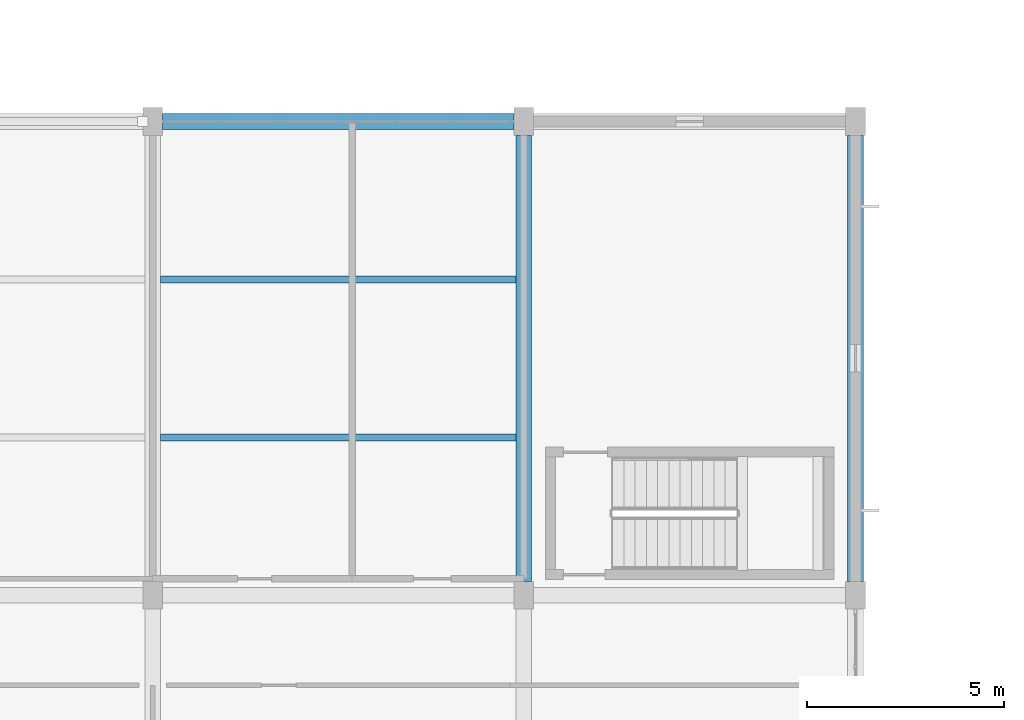
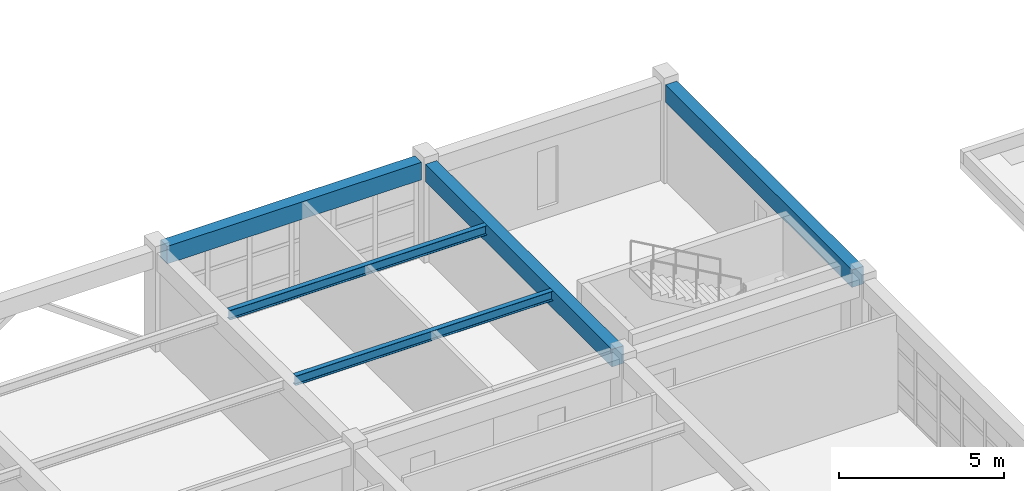
# One storey, part 35 of 150: 5 beams.
"""IFC4 building model written with IfcOpenShell, lengths in metres."""

from ifc_helpers import new_model, si_unit, direction, frame, origin, origin_2d, place, context, subcontext, project, spatial, rectangle, i_section, extrude, material, material_profile, profile_set, type_object, element, save


model = new_model("IFC4")

# Units and contexts
model_context = context("Model", 3, precision=1e-05, world=origin(), true_north=direction((0.0, 1.0)))
body_context = subcontext(model_context, "Body", "Model", "MODEL_VIEW")
ifc_project = project(units=[si_unit("LENGTHUNIT", "METRE"), si_unit("AREAUNIT", "SQUARE_METRE"), si_unit("VOLUMEUNIT", "CUBIC_METRE"), si_unit("PLANEANGLEUNIT", "RADIAN"), si_unit("MASSUNIT", "GRAM", prefix="KILO")], contexts=[model_context])

# Site, building, storey
site_placement = place(None, origin())
site = spatial("IfcSite", under=ifc_project, at=site_placement, CompositionType="ELEMENT")
building_placement = place(site_placement, origin())
building = spatial("IfcBuilding", under=site, at=building_placement, Name="Kestramere Prow Commons", CompositionType="ELEMENT")
storey_placement = place(building_placement, frame((0.0, 0.0, 4.5)))
storey = spatial("IfcBuildingStorey", under=building, at=storey_placement, Name="L01", CompositionType="ELEMENT", Elevation=4.5)

# Beams
ifc_material_1 = material(Name="Precast concrete C40/50", Category="concrete")
ifc_material_profile_1 = material_profile(ifc_material_1, rectangle(XDim=0.39990234375, YDim=0.64990234375, at=origin_2d()), Name="PC-BM 400x650")
ifc_profile_set_1 = profile_set([ifc_material_profile_1], Name="Precast concrete C40/50")
beam_type_1 = type_object("IfcBeamType", Name="BM-MK-01 PC-BM 400x650", PredefinedType="BEAM", material=ifc_profile_set_1)
beam_1_placement = place(storey_placement, frame((103.60009765625, 12.35009765625, 3.324951171875), z_axis=(0.0, 1.0, 0.0), x_axis=(-1.0, 0.0, 0.0)))
element("IfcBeam", 1, at=beam_1_placement, inside=storey, type_object=beam_type_1, Name="Market Spine L01 Beam Y 6-2", PredefinedType="BEAM", context=body_context, shape_type="SweptSolid", body=[
    extrude(rectangle(XDim=0.39990234375, YDim=0.64990234375, at=origin_2d()), origin(), (0.0, 0.0, 1.0), 11.2998046875),
])
ifc_material_profile_2 = material_profile(ifc_material_1, rectangle(XDim=0.39990234375, YDim=0.64990234375, at=origin_2d()), Name="PC-BM 400x650")
ifc_profile_set_2 = profile_set([ifc_material_profile_2], Name="Precast concrete C40/50")
beam_type_2 = type_object("IfcBeamType", Name="BM-MK-01 PC-BM 400x650 (EX)", PredefinedType="BEAM", material=ifc_profile_set_2)
beam_2_placement = place(storey_placement, frame((94.449951171875, 24.0, 3.324951171875), z_axis=(1.0, 0.0, 0.0), x_axis=(0.0, 1.0, 0.0)))
element("IfcBeam", 2, at=beam_2_placement, inside=storey, type_object=beam_type_2, Name="Market Spine L01 Beam X 3-5", PredefinedType="BEAM", context=body_context, shape_type="SweptSolid", body=[
    extrude(rectangle(XDim=0.39990234375, YDim=0.64990234375, at=origin_2d()), origin(), (0.0, 0.0, 1.0), 8.900146484375),
])
beam_3_placement = place(storey_placement, frame((112.0, 12.35009765625, 3.324951171875), z_axis=(0.0, 1.0, 0.0), x_axis=(-1.0, 0.0, 0.0)))
element("IfcBeam", 3, at=beam_3_placement, inside=storey, type_object=beam_type_2, Name="Market Spine L01 Beam Y 7-2", PredefinedType="BEAM", context=body_context, shape_type="SweptSolid", body=[
    extrude(rectangle(XDim=0.39990234375, YDim=0.64990234375, at=origin_2d()), origin(), (0.0, 0.0, 1.0), 11.2998046875),
])
ifc_material_2 = material(Name="Steel S355JR", Category="steel")
ifc_material_profile_3 = material_profile(ifc_material_2, i_section(OverallWidth=0.17138671875, OverallDepth=0.35498046875, WebThickness=0.00732421875, FlangeThickness=0.011474609375, FilletRadius=0.01025390625, at=origin_2d()), Name="UB 356x171x51")
ifc_profile_set_3 = profile_set([ifc_material_profile_3], Name="Steel S355JR")
beam_type_3 = type_object("IfcBeamType", Name="JST-MK-01 UB 356x171x51", PredefinedType="JOIST", material=ifc_profile_set_3)
for number, where, z_axis, x_axis, name in (
    (4, (94.39990234375, 16.0, 3.472412109375), (1.0, 0.0, 0.0), (0.0, 1.0, 0.0), "Market Spine L01 Secondary Joist 5-16"),
    (5, (94.39990234375, 20.0, 3.472412109375), (1.0, 0.0, 0.0), (0.0, 1.0, 0.0), "Market Spine L01 Secondary Joist 5-20"),
):
    element("IfcBeam", number, at=place(storey_placement, frame(where, z_axis=z_axis, x_axis=x_axis)), inside=storey, type_object=beam_type_3, Name=name, PredefinedType="JOIST", context=body_context, shape_type="SweptSolid", body=[
        extrude(i_section(OverallWidth=0.17138671875, OverallDepth=0.35498046875, WebThickness=0.00732421875, FlangeThickness=0.011474609375, FilletRadius=0.01025390625, at=origin_2d()), origin(), (0.0, 0.0, 1.0), 9.0),
    ])

save(model, "model.ifc")
